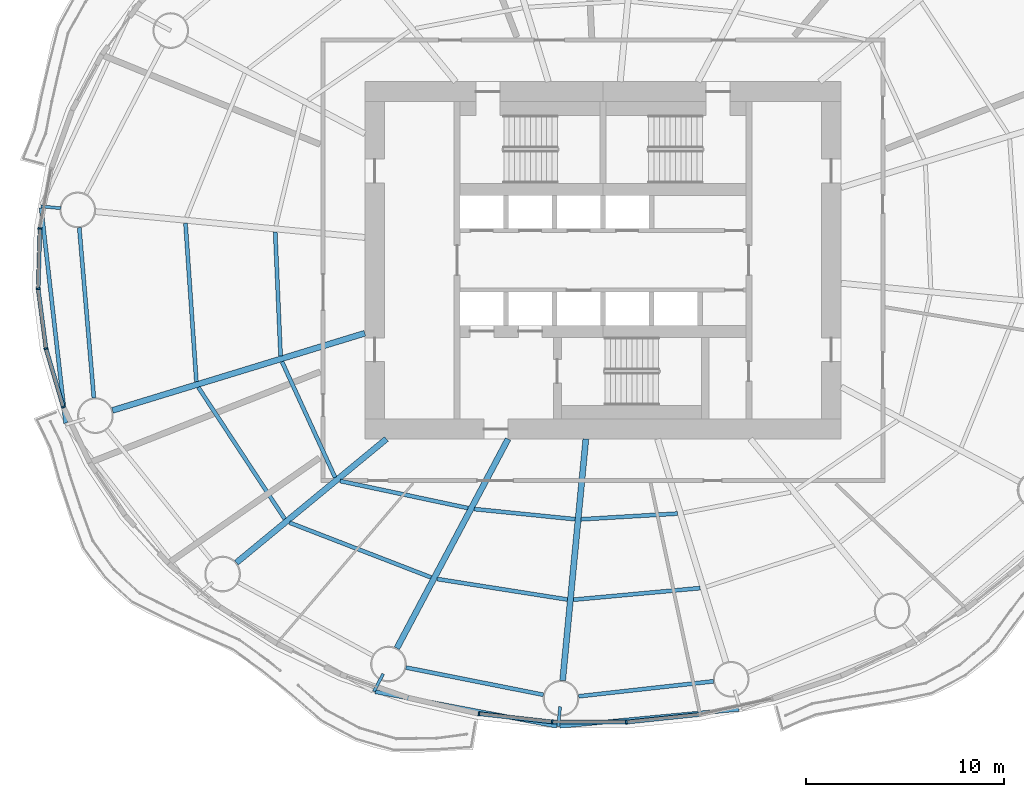
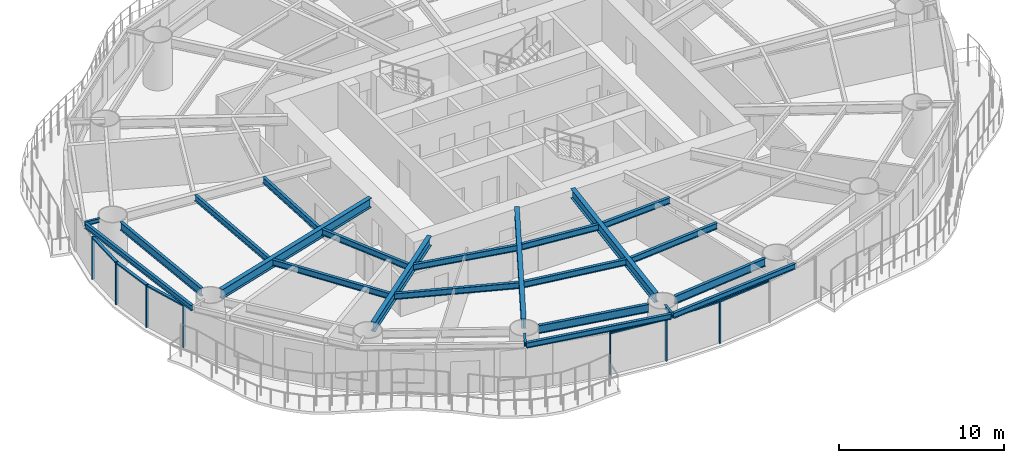
# One storey, part 2 of 16: 23 beams, 13 members, 6 elements without a shape of their own.
"""IFC4 building model written with IfcOpenShell, lengths in metres."""

from ifc_helpers import new_model, si_unit, direction, frame, origin, origin_2d, place, context, subcontext, project, spatial, rectangle, i_section, extrude, material, material_profile, profile_set, type_object, element, aggregate, save


model = new_model("IFC4")

# Units and contexts
model_context = context("Model", 3, precision=1e-05, world=origin(), true_north=direction((0.0, 1.0)))
body_context = subcontext(model_context, "Body", "Model", "MODEL_VIEW")
ifc_project = project(units=[si_unit("LENGTHUNIT", "METRE"), si_unit("AREAUNIT", "SQUARE_METRE"), si_unit("VOLUMEUNIT", "CUBIC_METRE"), si_unit("PLANEANGLEUNIT", "RADIAN"), si_unit("MASSUNIT", "GRAM", prefix="KILO")], contexts=[model_context])

# Site, building, storey
site_placement = place(None, origin())
site = spatial("IfcSite", under=ifc_project, at=site_placement, CompositionType="ELEMENT")
building_placement = place(site_placement, origin())
building = spatial("IfcBuilding", under=site, at=building_placement, Name="Vermilion Reach Broadcast Tower", CompositionType="ELEMENT")
storey_placement = place(building_placement, frame((0.0, 0.0, 47.10009765625)))
storey = spatial("IfcBuildingStorey", under=building, at=storey_placement, Name="L08", CompositionType="ELEMENT", Elevation=47.10009765625)

# Beams
ifc_material_1 = material(Name="Steel S355J2", Category="steel")
ifc_material_profile_1 = material_profile(ifc_material_1, i_section(OverallWidth=0.199951171875, OverallDepth=0.39990234375, WebThickness=0.008056640625, FlangeThickness=0.012939453125, at=origin_2d()), Name="S355J2 HN 400x200x8x13")
ifc_profile_set_1 = profile_set([ifc_material_profile_1], Name="Steel S355J2")
beam_type_1 = type_object("IfcBeamType", Name="EB1 HN 400x200x8x13", PredefinedType="BEAM", material=ifc_profile_set_1)
beam_1_placement = place(storey_placement, frame((-34.30712890625, 2.645263671875, 3.349853515625), z_axis=(0.112865541077, -0.993610270497, 0.0), x_axis=(0.993610270497, 0.112865541077, 0.0)))
element("IfcBeam", 1, at=beam_1_placement, inside=storey, type_object=beam_type_1, Name="Edge beam EB1-08", PredefinedType="BEAM", context=body_context, shape_type="SweptSolid", body=[
    extrude(i_section(OverallWidth=0.199951171875, OverallDepth=0.39990234375, WebThickness=0.008056640625, FlangeThickness=0.012939453125, at=origin_2d()), origin(), (0.0, 0.0, 1.0), 10.91943359375),
])
beam_2_placement = place(storey_placement, frame((-17.467041015625, -21.7353515625, 3.349853515625), z_axis=(0.982477324546, -0.186382152453, 0.0), x_axis=(0.186382152453, 0.982477324546, 0.0)))
element("IfcBeam", 2, at=beam_2_placement, inside=storey, type_object=beam_type_1, Name="Edge beam EB1-11", PredefinedType="BEAM", context=body_context, shape_type="SweptSolid", body=[
    extrude(i_section(OverallWidth=0.199951171875, OverallDepth=0.39990234375, WebThickness=0.008056640625, FlangeThickness=0.012939453125, at=origin_2d()), origin(), (0.0, 0.0, 1.0), 9.298828125),
])
beam_3_placement = place(storey_placement, frame((-8.180908203125, -23.475341796875, 3.349853515625), z_axis=(0.995521949385, 0.094530673821, 0.0), x_axis=(-0.094530673821, 0.995521949385, 0.0)))
element("IfcBeam", 3, at=beam_3_placement, inside=storey, type_object=beam_type_1, Name="Edge beam EB1-12", PredefinedType="BEAM", context=body_context, shape_type="SweptSolid", body=[
    extrude(i_section(OverallWidth=0.199951171875, OverallDepth=0.39990234375, WebThickness=0.008056640625, FlangeThickness=0.012939453125, at=origin_2d()), origin(), (0.0, 0.0, 1.0), 9.0625),
])
ifc_material_2 = material(Name="Steel S355J2", Category="steel")
ifc_material_profile_2 = material_profile(ifc_material_2, i_section(OverallWidth=0.300048828125, OverallDepth=0.699951171875, WebThickness=0.012939453125, FlangeThickness=0.02392578125, at=origin_2d()), Name="S355J2 HN 700x300x13x24")
ifc_profile_set_2 = profile_set([ifc_material_profile_2], Name="Steel S355J2")
beam_type_2 = type_object("IfcBeamType", Name="G1 HN 700x300x13x24", PredefinedType="BEAM", material=ifc_profile_set_2)
beam_4_placement = place(storey_placement, frame((-18.0, -3.671142578125, 3.199951171875), z_axis=(-0.956255735186, -0.292531996409, 0.0), x_axis=(0.292531996409, -0.956255735186, 0.0)))
element("IfcBeam", 4, at=beam_4_placement, inside=storey, type_object=beam_type_2, Name="Girder G1-09", PredefinedType="BEAM", context=body_context, shape_type="SweptSolid", body=[
    extrude(i_section(OverallWidth=0.300048828125, OverallDepth=0.699951171875, WebThickness=0.012939453125, FlangeThickness=0.02392578125, at=origin_2d()), origin(), (0.0, 0.0, 1.0), 13.29638671875),
])
beam_5_placement = place(storey_placement, frame((-16.9140625, -9.0, 3.199951171875), z_axis=(-0.771514256373, -0.636212034005, 0.0), x_axis=(0.636212034005, -0.771514256373, 0.0)))
element("IfcBeam", 5, at=beam_5_placement, inside=storey, type_object=beam_type_2, Name="Girder G1-10", PredefinedType="BEAM", context=body_context, shape_type="SweptSolid", body=[
    extrude(i_section(OverallWidth=0.300048828125, OverallDepth=0.699951171875, WebThickness=0.012939453125, FlangeThickness=0.02392578125, at=origin_2d()), origin(), (0.0, 0.0, 1.0), 9.796142578125),
])
beam_6_placement = place(storey_placement, frame((-10.783447265625, -9.0, 3.199951171875), z_axis=(-0.469312182262, -0.883032318537, 0.0), x_axis=(0.883032318537, -0.469312182262, 0.0)))
element("IfcBeam", 6, at=beam_6_placement, inside=storey, type_object=beam_type_2, Name="Girder G1-11", PredefinedType="BEAM", context=body_context, shape_type="SweptSolid", body=[
    extrude(i_section(OverallWidth=0.300048828125, OverallDepth=0.699951171875, WebThickness=0.012939453125, FlangeThickness=0.02392578125, at=origin_2d()), origin(), (0.0, 0.0, 1.0), 11.94091796875),
])
beam_7_placement = place(storey_placement, frame((-6.864990234375, -9.0, 3.199951171875), z_axis=(-0.09566673912, -0.995413419151, 0.0), x_axis=(0.995413419151, -0.09566673912, 0.0)))
element("IfcBeam", 7, at=beam_7_placement, inside=storey, type_object=beam_type_2, Name="Girder G1-12", PredefinedType="BEAM", context=body_context, shape_type="SweptSolid", body=[
    extrude(i_section(OverallWidth=0.300048828125, OverallDepth=0.699951171875, WebThickness=0.012939453125, FlangeThickness=0.02392578125, at=origin_2d()), origin(), (0.0, 0.0, 1.0), 12.22412109375),
])
ifc_material_3 = material(Name="Steel S355J2", Category="steel")
ifc_material_profile_3 = material_profile(ifc_material_3, i_section(OverallWidth=0.14990234375, OverallDepth=0.300048828125, WebThickness=0.006591796875, FlangeThickness=0.009033203125, at=origin_2d()), Name="S355J2 HN 300x150x6.5x9")
ifc_profile_set_3 = profile_set([ifc_material_profile_3], Name="Steel S355J2")
beam_type_3 = type_object("IfcBeamType", Name="GS1 HN 300x150x6.5x9", PredefinedType="BEAM", material=ifc_profile_set_3)
for number, where, z_axis, x_axis, name in (
    (8, (-33.3203125, 2.625732421875, 3.39990234375), (-0.995409476419, 0.095707754417, 0.0), (-0.095707754417, -0.995409476419, 0.0), "Cantilever stub GS1-08"),
    (9, (-17.074951171875, -20.837646484375, 3.39990234375), (-0.469244476458, -0.883068299348, 0.0), (0.883068299348, -0.469244476458, 0.0), "Cantilever stub GS1-11"),
    (10, (-8.161376953125, -22.487060546875, 3.39990234375), (-0.095707754417, -0.995409476419, 0.0), (0.995409476419, -0.095707754417, 0.0), "Cantilever stub GS1-12"),
):
    element("IfcBeam", number, at=place(storey_placement, frame(where, z_axis=z_axis, x_axis=x_axis)), inside=storey, type_object=beam_type_3, Name=name, PredefinedType="BEAM", context=body_context, shape_type="SweptSolid", body=[
        extrude(i_section(OverallWidth=0.14990234375, OverallDepth=0.300048828125, WebThickness=0.006591796875, FlangeThickness=0.009033203125, at=origin_2d()), origin(), (0.0, 0.0, 1.0), 1.0),
    ])
ifc_material_4 = material(Name="Steel S355J2", Category="steel")
ifc_material_profile_4 = material_profile(ifc_material_4, i_section(OverallWidth=0.199951171875, OverallDepth=0.60009765625, WebThickness=0.010986328125, FlangeThickness=0.01708984375, at=origin_2d()), Name="S355J2 HN 600x200x11x17")
ifc_profile_set_4 = profile_set([ifc_material_profile_4], Name="Steel S355J2")
beam_type_4 = type_object("IfcBeamType", Name="RB1 HN 600x200x11x17", PredefinedType="BEAM", material=ifc_profile_set_4)
beam_8_placement = place(storey_placement, frame((-32.38720703125, 1.646728515625, 3.25), z_axis=(0.085395508608, -0.996347131832, 0.0), x_axis=(0.996347131832, 0.085395508608, 0.0)))
element("IfcBeam", 11, at=beam_8_placement, inside=storey, type_object=beam_type_4, Name="Ring beam RB1-08", PredefinedType="BEAM", context=body_context, shape_type="SweptSolid", body=[
    extrude(i_section(OverallWidth=0.199951171875, OverallDepth=0.60009765625, WebThickness=0.010986328125, FlangeThickness=0.01708984375, at=origin_2d()), origin(), (0.0, 0.0, 1.0), 8.60546875),
])
beam_9_placement = place(storey_placement, frame((-15.927001953125, -20.51416015625, 3.25), z_axis=(0.980857717995, -0.194725799651, 0.0), x_axis=(0.194725799651, 0.980857717995, 0.0)))
element("IfcBeam", 12, at=beam_9_placement, inside=storey, type_object=beam_type_4, Name="Ring beam RB1-11", PredefinedType="BEAM", context=body_context, shape_type="SweptSolid", body=[
    extrude(i_section(OverallWidth=0.199951171875, OverallDepth=0.60009765625, WebThickness=0.010986328125, FlangeThickness=0.01708984375, at=origin_2d()), origin(), (0.0, 0.0, 1.0), 7.05859375),
])
beam_10_placement = place(storey_placement, frame((-7.22607421875, -21.964111328125, 3.25), z_axis=(0.993851439324, 0.110721798009, 0.0), x_axis=(-0.110721798009, 0.993851439324, 0.0)))
element("IfcBeam", 13, at=beam_10_placement, inside=storey, type_object=beam_type_4, Name="Ring beam RB1-12", PredefinedType="BEAM", context=body_context, shape_type="SweptSolid", body=[
    extrude(i_section(OverallWidth=0.199951171875, OverallDepth=0.60009765625, WebThickness=0.010986328125, FlangeThickness=0.01708984375, at=origin_2d()), origin(), (0.0, 0.0, 1.0), 6.8310546875),
])
ifc_material_5 = material(Name="Steel S355J2", Category="steel")
ifc_material_profile_5 = material_profile(ifc_material_5, i_section(OverallWidth=0.199951171875, OverallDepth=0.449951171875, WebThickness=0.009033203125, FlangeThickness=0.013916015625, at=origin_2d()), Name="S355J2 HN 450x200x9x14")
ifc_profile_set_5 = profile_set([ifc_material_profile_5], Name="Steel S355J2")
beam_type_5 = type_object("IfcBeamType", Name="SB1 HN 450x200x9x14", PredefinedType="BEAM", material=ifc_profile_set_5)
beam_11_placement = place(storey_placement, frame((-22.51611328125, 1.436767578125, 3.324951171875), z_axis=(0.043361007512, -0.999059469215, 0.0), x_axis=(0.999059469215, 0.043361007512, 0.0)))
element("IfcBeam", 14, at=beam_11_placement, inside=storey, type_object=beam_type_5, Name="Secondary beam SB1-08-1", PredefinedType="BEAM", context=body_context, shape_type="SweptSolid", body=[
    extrude(i_section(OverallWidth=0.199951171875, OverallDepth=0.449951171875, WebThickness=0.009033203125, FlangeThickness=0.013916015625, at=origin_2d()), origin(), (0.0, 0.0, 1.0), 6.25537109375),
])
beam_12_placement = place(storey_placement, frame((-27.03515625, 1.87109375, 3.324951171875), z_axis=(0.068507801475, -0.997650580683, 0.0), x_axis=(0.997650580683, 0.068507801475, 0.0)))
element("IfcBeam", 15, at=beam_12_placement, inside=storey, type_object=beam_type_5, Name="Secondary beam SB1-08-2", PredefinedType="BEAM", context=body_context, shape_type="SweptSolid", body=[
    extrude(i_section(OverallWidth=0.199951171875, OverallDepth=0.449951171875, WebThickness=0.009033203125, FlangeThickness=0.013916015625, at=origin_2d()), origin(), (0.0, 0.0, 1.0), 8.00048828125),
])
beam_13_placement = place(storey_placement, frame((-22.175048828125, -5.105224609375, 3.324951171875), z_axis=(0.417211452529, -0.908809443106, 0.0), x_axis=(0.908809443106, 0.417211452529, 0.0)))
element("IfcBeam", 16, at=beam_13_placement, inside=storey, type_object=beam_type_5, Name="Secondary beam SB1-09-1", PredefinedType="BEAM", context=body_context, shape_type="SweptSolid", body=[
    extrude(i_section(OverallWidth=0.199951171875, OverallDepth=0.449951171875, WebThickness=0.009033203125, FlangeThickness=0.013916015625, at=origin_2d()), origin(), (0.0, 0.0, 1.0), 6.41650390625),
])
beam_14_placement = place(storey_placement, frame((-26.390625, -6.394775390625, 3.324951171875), z_axis=(0.548800909102, -0.835953086105, 0.0), x_axis=(0.835953086105, 0.548800909102, 0.0)))
element("IfcBeam", 17, at=beam_14_placement, inside=storey, type_object=beam_type_5, Name="Secondary beam SB1-09-2", PredefinedType="BEAM", context=body_context, shape_type="SweptSolid", body=[
    extrude(i_section(OverallWidth=0.199951171875, OverallDepth=0.449951171875, WebThickness=0.009033203125, FlangeThickness=0.013916015625, at=origin_2d()), origin(), (0.0, 0.0, 1.0), 7.935791015625),
])
beam_15_placement = place(storey_placement, frame((-19.24560546875, -11.1171875, 3.324951171875), z_axis=(0.978270372412, -0.207333254596, 0.0), x_axis=(0.207333254596, 0.978270372412, 0.0)))
element("IfcBeam", 18, at=beam_15_placement, inside=storey, type_object=beam_type_5, Name="Secondary beam SB1-10-1", PredefinedType="BEAM", context=body_context, shape_type="SweptSolid", body=[
    extrude(i_section(OverallWidth=0.199951171875, OverallDepth=0.449951171875, WebThickness=0.009033203125, FlangeThickness=0.013916015625, at=origin_2d()), origin(), (0.0, 0.0, 1.0), 6.584716796875),
])
beam_16_placement = place(storey_placement, frame((-21.7919921875, -13.217041015625, 3.324951171875), z_axis=(0.932680743753, -0.360702966765, 0.0), x_axis=(0.360702966765, 0.932680743753, 0.0)))
element("IfcBeam", 19, at=beam_16_placement, inside=storey, type_object=beam_type_5, Name="Secondary beam SB1-10-2", PredefinedType="BEAM", context=body_context, shape_type="SweptSolid", body=[
    extrude(i_section(OverallWidth=0.199951171875, OverallDepth=0.449951171875, WebThickness=0.009033203125, FlangeThickness=0.013916015625, at=origin_2d()), origin(), (0.0, 0.0, 1.0), 7.646240234375),
])
beam_17_placement = place(storey_placement, frame((-12.490234375, -12.531005859375, 3.324951171875), z_axis=(0.995010199331, -0.099773259079, 0.0), x_axis=(0.099773259079, 0.995010199331, 0.0)))
element("IfcBeam", 20, at=beam_17_placement, inside=storey, type_object=beam_type_5, Name="Secondary beam SB1-11-1", PredefinedType="BEAM", context=body_context, shape_type="SweptSolid", body=[
    extrude(i_section(OverallWidth=0.199951171875, OverallDepth=0.449951171875, WebThickness=0.009033203125, FlangeThickness=0.013916015625, at=origin_2d()), origin(), (0.0, 0.0, 1.0), 5.111572265625),
])
beam_18_placement = place(storey_placement, frame((-14.36279296875, -16.05419921875, 3.324951171875), z_axis=(0.987829548379, -0.155540294938, 0.0), x_axis=(0.155540294938, 0.987829548379, 0.0)))
element("IfcBeam", 21, at=beam_18_placement, inside=storey, type_object=beam_type_5, Name="Secondary beam SB1-11-2", PredefinedType="BEAM", context=body_context, shape_type="SweptSolid", body=[
    extrude(i_section(OverallWidth=0.199951171875, OverallDepth=0.449951171875, WebThickness=0.009033203125, FlangeThickness=0.013916015625, at=origin_2d()), origin(), (0.0, 0.0, 1.0), 6.650634765625),
])
beam_19_placement = place(storey_placement, frame((-7.103271484375, -13.046875, 3.324951171875), z_axis=(0.99823410974, 0.059402543307, 0.0), x_axis=(-0.059402543307, 0.99823410974, 0.0)))
element("IfcBeam", 22, at=beam_19_placement, inside=storey, type_object=beam_type_5, Name="Secondary beam SB1-12-1", PredefinedType="BEAM", context=body_context, shape_type="SweptSolid", body=[
    extrude(i_section(OverallWidth=0.199951171875, OverallDepth=0.449951171875, WebThickness=0.009033203125, FlangeThickness=0.013916015625, at=origin_2d()), origin(), (0.0, 0.0, 1.0), 4.85791015625),
])
beam_20_placement = place(storey_placement, frame((-7.49267578125, -17.09814453125, 3.324951171875), z_axis=(0.995818616382, 0.091352521952, 0.0), x_axis=(-0.091352521952, 0.995818616382, 0.0)))
element("IfcBeam", 23, at=beam_20_placement, inside=storey, type_object=beam_type_5, Name="Secondary beam SB1-12-2", PredefinedType="BEAM", context=body_context, shape_type="SweptSolid", body=[
    extrude(i_section(OverallWidth=0.199951171875, OverallDepth=0.449951171875, WebThickness=0.009033203125, FlangeThickness=0.013916015625, at=origin_2d()), origin(), (0.0, 0.0, 1.0), 6.4140625),
])

# Curtain wall, member
ifc_material_6 = material(Name="Low-e laminated clear glass in aluminium frame", Category="aluminium")
curtain_wall_type = type_object("IfcCurtainWallType", Name="Slot curtain wall", PredefinedType="NOTDEFINED", material=ifc_material_6)
placement = place(storey_placement, origin())
curtain_wall_1 = element("IfcCurtainWall", 24, at=placement, inside=storey, type_object=curtain_wall_type, Name="Slot curtain wall L08 23", PredefinedType="NOTDEFINED")
ifc_material_7 = material(Name="Anodised aluminium", Category="aluminium")
ifc_material_profile_6 = material_profile(ifc_material_7, rectangle(XDim=0.199951171875, YDim=0.080078125, at=origin_2d()), Name="Slot mullion 80 x 200")
ifc_profile_set_6 = profile_set([ifc_material_profile_6], Name="Anodised aluminium")
member_type_1 = type_object("IfcMemberType", Name="Slot mullion 80 x 200", PredefinedType="MULLION", material=ifc_profile_set_6)
member_1_placement = place(storey_placement, frame((-34.368896484375, 1.60888671875, 0.0), z_axis=(0.0, 0.0, 1.0), x_axis=(0.994096414495, -0.108500316535, 0.0)))
member_1 = element("IfcMember", 25, at=member_1_placement, type_object=member_type_1, Name="Slot mullion L08 23", PredefinedType="MULLION", context=body_context, shape_type="SweptSolid", body=[
    extrude(rectangle(XDim=0.199951171875, YDim=0.080078125, at=origin_2d()), origin(), (0.0, 0.0, 1.0), 3.14990234375),
])

curtain_wall_2 = element("IfcCurtainWall", 26, at=placement, inside=storey, type_object=curtain_wall_type, Name="Slot curtain wall L08 24", PredefinedType="NOTDEFINED")
member_2_placement = place(storey_placement, frame((-34.458740234375, -1.431640625, 0.0), z_axis=(0.0, 0.0, 1.0), x_axis=(0.998736958655, 0.050244277443, 0.0)))
member_2 = element("IfcMember", 27, at=member_2_placement, type_object=member_type_1, Name="Slot mullion L08 24", PredefinedType="MULLION", context=body_context, shape_type="SweptSolid", body=[
    extrude(rectangle(XDim=0.199951171875, YDim=0.080078125, at=origin_2d()), origin(), (0.0, 0.0, 1.0), 3.14990234375),
])

# Curtain wall, members
curtain_wall_3 = element("IfcCurtainWall", 28, at=placement, inside=storey, type_object=curtain_wall_type, Name="Slot curtain wall L08 25", PredefinedType="NOTDEFINED")
member_3_placement = place(storey_placement, frame((-34.064208984375, -4.447998046875, 0.0), z_axis=(0.0, 0.0, 1.0), x_axis=(0.97818794669, 0.207721787373, 0.0)))
member_3 = element("IfcMember", 29, at=member_3_placement, type_object=member_type_1, Name="Slot mullion L08 25", PredefinedType="MULLION", context=body_context, shape_type="SweptSolid", body=[
    extrude(rectangle(XDim=0.199951171875, YDim=0.080078125, at=origin_2d()), origin(), (0.0, 0.0, 1.0), 3.14990234375),
])
member_4_placement = place(storey_placement, frame((-33.191650390625, -7.389404296875, 0.0), z_axis=(0.0, 0.0, 1.0), x_axis=(0.933871419134, 0.357608965944, 0.0)))
member_4 = element("IfcMember", 30, at=member_4_placement, type_object=member_type_1, Name="Slot mullion L08 26", PredefinedType="MULLION", context=body_context, shape_type="SweptSolid", body=[
    extrude(rectangle(XDim=0.199951171875, YDim=0.080078125, at=origin_2d()), origin(), (0.0, 0.0, 1.0), 3.14990234375),
])

# Curtain wall, member
curtain_wall_4 = element("IfcCurtainWall", 31, at=placement, inside=storey, type_object=curtain_wall_type, Name="Slot curtain wall L08 34", PredefinedType="NOTDEFINED")
member_5_placement = place(storey_placement, frame((-12.24853515625, -22.841552734375, 0.0), z_axis=(0.0, 0.0, 1.0), x_axis=(0.165409077285, 0.986225043868, 0.0)))
member_5 = element("IfcMember", 32, at=member_5_placement, type_object=member_type_1, Name="Slot mullion L08 34", PredefinedType="MULLION", context=body_context, shape_type="SweptSolid", body=[
    extrude(rectangle(XDim=0.199951171875, YDim=0.080078125, at=origin_2d()), origin(), (0.0, 0.0, 1.0), 3.14990234375),
])

curtain_wall_5 = element("IfcCurtainWall", 33, at=placement, inside=storey, type_object=curtain_wall_type, Name="Slot curtain wall L08 35", PredefinedType="NOTDEFINED")
member_6_placement = place(storey_placement, frame((-8.561279296875, -23.253662109375, 0.0), z_axis=(0.0, 0.0, 1.0), x_axis=(0.057319037153, 0.998355912478, 0.0)))
member_6 = element("IfcMember", 34, at=member_6_placement, type_object=member_type_1, Name="Slot mullion L08 35", PredefinedType="MULLION", context=body_context, shape_type="SweptSolid", body=[
    extrude(rectangle(XDim=0.199951171875, YDim=0.080078125, at=origin_2d()), origin(), (0.0, 0.0, 1.0), 3.14990234375),
])

curtain_wall_6 = element("IfcCurtainWall", 35, at=placement, inside=storey, type_object=curtain_wall_type, Name="Slot curtain wall L08 36", PredefinedType="NOTDEFINED")
member_7_placement = place(storey_placement, frame((-4.82958984375, -23.266357421875, 0.0), z_axis=(0.0, 0.0, 1.0), x_axis=(-0.05024435625, 0.998736954691, 0.0)))
member_7 = element("IfcMember", 36, at=member_7_placement, type_object=member_type_1, Name="Slot mullion L08 36", PredefinedType="MULLION", context=body_context, shape_type="SweptSolid", body=[
    extrude(rectangle(XDim=0.199951171875, YDim=0.080078125, at=origin_2d()), origin(), (0.0, 0.0, 1.0), 3.14990234375),
])

# Member
ifc_material_8 = material(Name="Anodised aluminium", Category="aluminium")
ifc_material_profile_7 = material_profile(ifc_material_8, rectangle(XDim=0.199951171875, YDim=0.10009765625, at=origin_2d()), Name="Slot transom 200 x 100")
ifc_profile_set_7 = profile_set([ifc_material_profile_7], Name="Anodised aluminium")
member_type_2 = type_object("IfcMemberType", Name="Slot transom 200 x 100", PredefinedType="USERDEFINED", material=ifc_profile_set_7)
member_8_placement = place(storey_placement, frame((-34.3701171875, 1.56884765625, 3.099853515625), z_axis=(-0.02951048001, -0.999564470942, 0.0), x_axis=(0.999564470942, -0.02951048001, 0.0)))
member_8 = element("IfcMember", 37, at=member_8_placement, type_object=member_type_2, Name="Slot transom L08 23.1", ObjectType="TRANSOM", PredefinedType="USERDEFINED", context=body_context, shape_type="SweptSolid", body=[
    extrude(rectangle(XDim=0.199951171875, YDim=0.10009765625, at=origin_2d()), origin(), (0.0, 0.0, 1.0), 2.961669921875),
])

aggregate(curtain_wall_1, [member_1, member_8])

member_9_placement = place(storey_placement, frame((-34.45361328125, -1.471435546875, 3.099853515625), z_axis=(0.129744427337, -0.991547469149, 0.0), x_axis=(0.991547469149, 0.129744427337, 0.0)))
member_9 = element("IfcMember", 38, at=member_9_placement, type_object=member_type_2, Name="Slot transom L08 24.1", ObjectType="TRANSOM", PredefinedType="USERDEFINED", context=body_context, shape_type="SweptSolid", body=[
    extrude(rectangle(XDim=0.199951171875, YDim=0.10009765625, at=origin_2d()), origin(), (0.0, 0.0, 1.0), 2.9619140625),
])

aggregate(curtain_wall_2, [member_2, member_9])

member_10_placement = place(storey_placement, frame((-34.052734375, -4.486328125, 3.099853515625), z_axis=(0.28440822294, -0.958703271468, 0.0), x_axis=(0.958703271468, 0.28440822294, 0.0)))
member_10 = element("IfcMember", 39, at=member_10_placement, type_object=member_type_2, Name="Slot transom L08 25.1", ObjectType="TRANSOM", PredefinedType="USERDEFINED", context=body_context, shape_type="SweptSolid", body=[
    extrude(rectangle(XDim=0.199951171875, YDim=0.10009765625, at=origin_2d()), origin(), (0.0, 0.0, 1.0), 2.988037109375),
])

aggregate(curtain_wall_3, [member_3, member_4, member_10])

member_11_placement = place(storey_placement, frame((-12.208740234375, -22.845947265625, 3.099853515625), z_axis=(0.9938097025, -0.111095792971, 0.0), x_axis=(0.111095792971, 0.9938097025, 0.0)))
member_11 = element("IfcMember", 40, at=member_11_placement, type_object=member_type_2, Name="Slot transom L08 34.1", ObjectType="TRANSOM", PredefinedType="USERDEFINED", context=body_context, shape_type="SweptSolid", body=[
    extrude(rectangle(XDim=0.199951171875, YDim=0.10009765625, at=origin_2d()), origin(), (0.0, 0.0, 1.0), 3.63037109375),
])

aggregate(curtain_wall_4, [member_5, member_11])

member_12_placement = place(storey_placement, frame((-8.521240234375, -23.25390625, 3.099853515625), z_axis=(0.999994412502, -0.003342897682, 0.0), x_axis=(0.003342897682, 0.999994412502, 0.0)))
member_12 = element("IfcMember", 41, at=member_12_placement, type_object=member_type_2, Name="Slot transom L08 35.1", ObjectType="TRANSOM", PredefinedType="USERDEFINED", context=body_context, shape_type="SweptSolid", body=[
    extrude(rectangle(XDim=0.199951171875, YDim=0.10009765625, at=origin_2d()), origin(), (0.0, 0.0, 1.0), 3.651611328125),
])

aggregate(curtain_wall_5, [member_6, member_12])

member_13_placement = place(storey_placement, frame((-4.789794921875, -23.26220703125, 3.099853515625), z_axis=(0.994602465595, 0.103759025785, 0.0), x_axis=(-0.103759025785, 0.994602465595, 0.0)))
member_13 = element("IfcMember", 42, at=member_13_placement, type_object=member_type_2, Name="Slot transom L08 36.1", ObjectType="TRANSOM", PredefinedType="USERDEFINED", context=body_context, shape_type="SweptSolid", body=[
    extrude(rectangle(XDim=0.199951171875, YDim=0.10009765625, at=origin_2d()), origin(), (0.0, 0.0, 1.0), 3.65185546875),
])

aggregate(curtain_wall_6, [member_7, member_13])

save(model, "model.ifc")
